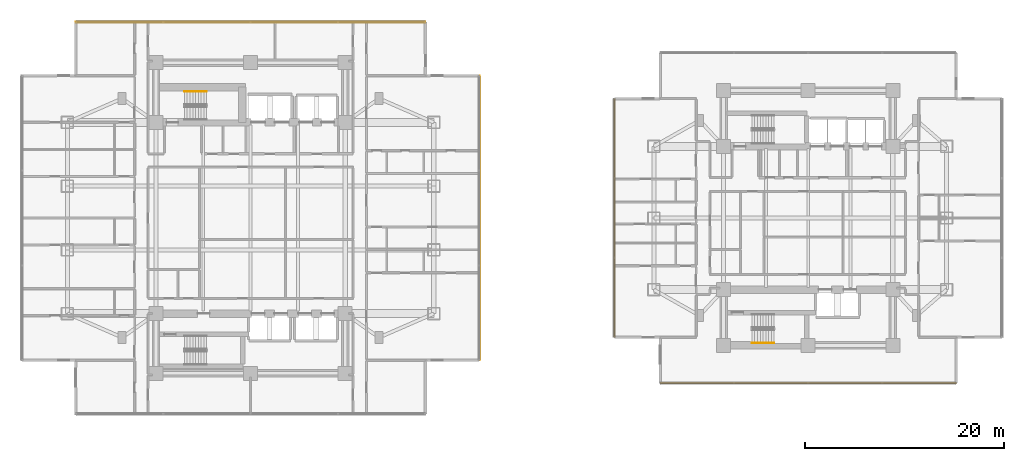
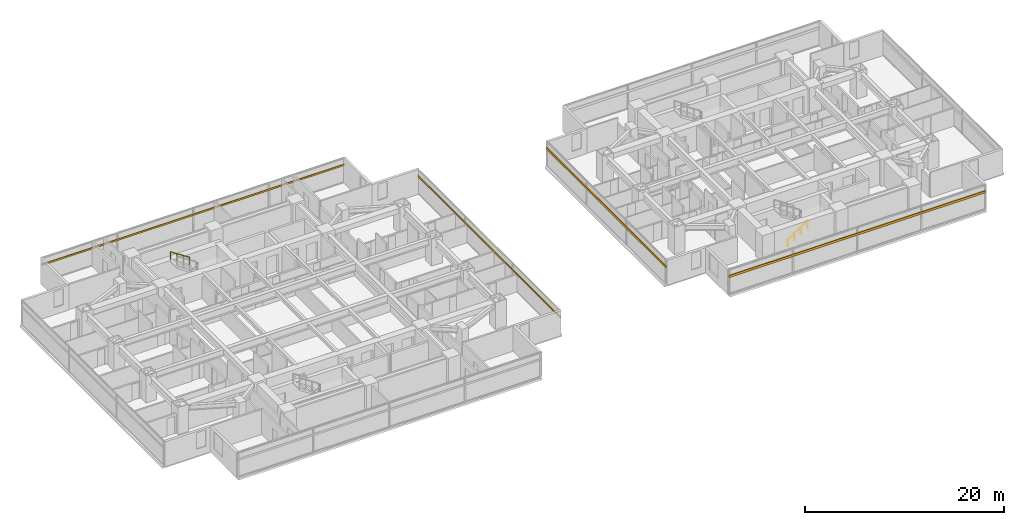
# One storey, part 24 of 26: 4 shading devices, 2 railings.
"""IFC4 building model written with IfcOpenShell, lengths in metres."""

from ifc_helpers import new_model, si_unit, direction, frame, origin, origin_2d, place, context, subcontext, project, spatial, rectangle, circle, extrude, material, material_profile, profile_set, type_object, element, save


model = new_model("IFC4")

# Units and contexts
model_context = context("Model", 3, precision=1e-05, world=origin(), true_north=direction((0.0, 1.0)))
body_context = subcontext(model_context, "Body", "Model", "MODEL_VIEW")
ifc_project = project(units=[si_unit("LENGTHUNIT", "METRE"), si_unit("AREAUNIT", "SQUARE_METRE"), si_unit("VOLUMEUNIT", "CUBIC_METRE"), si_unit("PLANEANGLEUNIT", "RADIAN"), si_unit("MASSUNIT", "GRAM", prefix="KILO")], contexts=[model_context])

# Site, building, storey
site_placement = place(None, origin())
site = spatial("IfcSite", under=ifc_project, at=site_placement, CompositionType="ELEMENT")
building_placement = place(site_placement, origin())
building = spatial("IfcBuilding", under=site, at=building_placement, Name="Mirazonda Arch Towers", CompositionType="ELEMENT")
storey_placement = place(building_placement, frame((0.0, 0.0, 45.5)))
storey = spatial("IfcBuildingStorey", under=building, at=storey_placement, Name="L12", CompositionType="ELEMENT", Elevation=45.5)

# Shading devices
ifc_material_1 = material(Name="Kiln-Fired Architectural Terracotta", Category="masonry")
ifc_material_profile_1 = material_profile(ifc_material_1, rectangle(XDim=0.10009765625, YDim=0.199951171875, at=origin_2d()), Name="TERRA-BAG-100x200")
ifc_profile_set_1 = profile_set([ifc_material_profile_1], Name="Kiln-Fired Architectural Terracotta")
shading_device_type_1 = type_object("IfcShadingDeviceType", Name="BAGUETTE-2", PredefinedType="USERDEFINED", material=ifc_profile_set_1)
shading_device_1_placement = place(storey_placement, frame((43.43994140625, 13.714111328125, 2.188720703125), z_axis=(0.0, 1.0, 0.0), x_axis=(-1.0, 0.0, 0.0)))
element("IfcShadingDevice", 1, at=shading_device_1_placement, inside=storey, type_object=shading_device_type_1, Name="L12 Glazed Terracotta Sun-Screen Baguette CW-L12-T1-E", ObjectType="BAGUETTE", PredefinedType="USERDEFINED", context=body_context, shape_type="SweptSolid", body=[
    extrude(rectangle(XDim=0.10009765625, YDim=0.199951171875, at=origin_2d()), origin(), (0.0, 0.0, 1.0), 28.57177734375),
])
shading_device_2_placement = place(storey_placement, frame((2.93994140625, 47.666015625, 2.188720703125), z_axis=(1.0, 0.0, 0.0), x_axis=(0.0, 1.0, 0.0)))
element("IfcShadingDevice", 2, at=shading_device_2_placement, inside=storey, type_object=shading_device_type_1, Name="L12 Glazed Terracotta Sun-Screen Baguette CW-L12-T1-N", ObjectType="BAGUETTE", PredefinedType="USERDEFINED", context=body_context, shape_type="SweptSolid", body=[
    extrude(rectangle(XDim=0.10009765625, YDim=0.199951171875, at=origin_2d()), origin(), (0.0, 0.0, 1.0), 35.1201171875),
])
ifc_material_profile_2 = material_profile(ifc_material_1, rectangle(XDim=0.139892578125, YDim=0.280029296875, at=origin_2d()), Name="TERRA-BAG-140x280")
ifc_profile_set_2 = profile_set([ifc_material_profile_2], Name="Kiln-Fired Architectural Terracotta")
shading_device_type_2 = type_object("IfcShadingDeviceType", Name="BAGUETTE-3", PredefinedType="USERDEFINED", material=ifc_profile_set_2)
shading_device_3_placement = place(storey_placement, frame((91.365966796875, 11.43701171875, 2.188720703125), z_axis=(-1.0, 0.0, 0.0), x_axis=(0.0, -1.0, 0.0)))
element("IfcShadingDevice", 3, at=shading_device_3_placement, inside=storey, type_object=shading_device_type_2, Name="L12 Glazed Terracotta Sun-Screen Baguette CW-L12-T2-S", ObjectType="BAGUETTE", PredefinedType="USERDEFINED", context=body_context, shape_type="SweptSolid", body=[
    extrude(rectangle(XDim=0.139892578125, YDim=0.280029296875, at=origin_2d()), origin(), (0.0, 0.0, 1.0), 29.73193359375),
])
shading_device_4_placement = place(storey_placement, frame((57.053955078125, 39.983154296875, 2.188720703125), z_axis=(0.0, -1.0, 0.0), x_axis=(1.0, 0.0, 0.0)))
element("IfcShadingDevice", 4, at=shading_device_4_placement, inside=storey, type_object=shading_device_type_2, Name="L12 Glazed Terracotta Sun-Screen Baguette CW-L12-T2-W", ObjectType="BAGUETTE", PredefinedType="USERDEFINED", context=body_context, shape_type="SweptSolid", body=[
    extrude(rectangle(XDim=0.139892578125, YDim=0.280029296875, at=origin_2d()), origin(), (0.0, 0.0, 1.0), 23.96630859375),
])

# Railings
ifc_material_2 = material(Name="Architectural Brushed Steel S355", Category="steel")
railing_type = type_object("IfcRailingType", Name="HANDRAIL-915", PredefinedType="HANDRAIL", material=ifc_material_2)
railing_1_placement = place(storey_placement, frame((16.090087890625, 40.7099609375, 1.833251953125)))
element("IfcRailing", 5, at=railing_1_placement, inside=storey, type_object=railing_type, Name="L12 ST-T1N stair handrail 2", PredefinedType="HANDRAIL", context=body_context, shape_type="SweptSolid", body=[
    extrude(circle(Radius=0.02392578125, at=origin_2d()), frame((0.0, 0.0, 0.8759765625), z_axis=(-0.836595146698, 0.0, 0.547821650285), x_axis=(0.0, -1.0, 0.0)), (0.0, 0.0, 1.0), 2.677490234375),
    extrude(circle(Radius=0.02099609375, at=origin_2d()), origin(), (0.0, 0.0, 1.0), 0.851806640625),
    extrude(circle(Radius=0.02099609375, at=origin_2d()), frame((-0.74658203125, 0.0, 0.489013671875)), (0.0, 0.0, 1.0), 0.851806640625),
    extrude(circle(Radius=0.02099609375, at=origin_2d()), frame((-1.493408203125, 0.0, 0.977783203125)), (0.0, 0.0, 1.0), 0.851806640625),
    extrude(circle(Radius=0.02099609375, at=origin_2d()), frame((-2.239990234375, 0.0, 1.466796875)), (0.0, 0.0, 1.0), 0.851806640625),
])
railing_2_placement = place(storey_placement, frame((70.85009765625, 15.469970703125, 0.183349609375)))
element("IfcRailing", 6, at=railing_2_placement, inside=storey, type_object=railing_type, Name="L12 ST-T2S stair handrail 1", PredefinedType="HANDRAIL", context=body_context, shape_type="SweptSolid", body=[
    extrude(circle(Radius=0.02392578125, at=origin_2d()), frame((0.0, 0.0, 0.8759765625), z_axis=(0.836636935527, 0.0, 0.547757827979), x_axis=(0.0, 1.0, 0.0)), (0.0, 0.0, 1.0), 2.677490234375),
    extrude(circle(Radius=0.02099609375, at=origin_2d()), origin(), (0.0, 0.0, 1.0), 0.851806640625),
    extrude(circle(Radius=0.02099609375, at=origin_2d()), frame((0.74658203125, 0.0, 0.48876953125)), (0.0, 0.0, 1.0), 0.851806640625),
    extrude(circle(Radius=0.02099609375, at=origin_2d()), frame((1.493408203125, 0.0, 0.977783203125)), (0.0, 0.0, 1.0), 0.851806640625),
    extrude(circle(Radius=0.02099609375, at=origin_2d()), frame((2.239990234375, 0.0, 1.466552734375)), (0.0, 0.0, 1.0), 0.851806640625),
])

save(model, "model.ifc")
